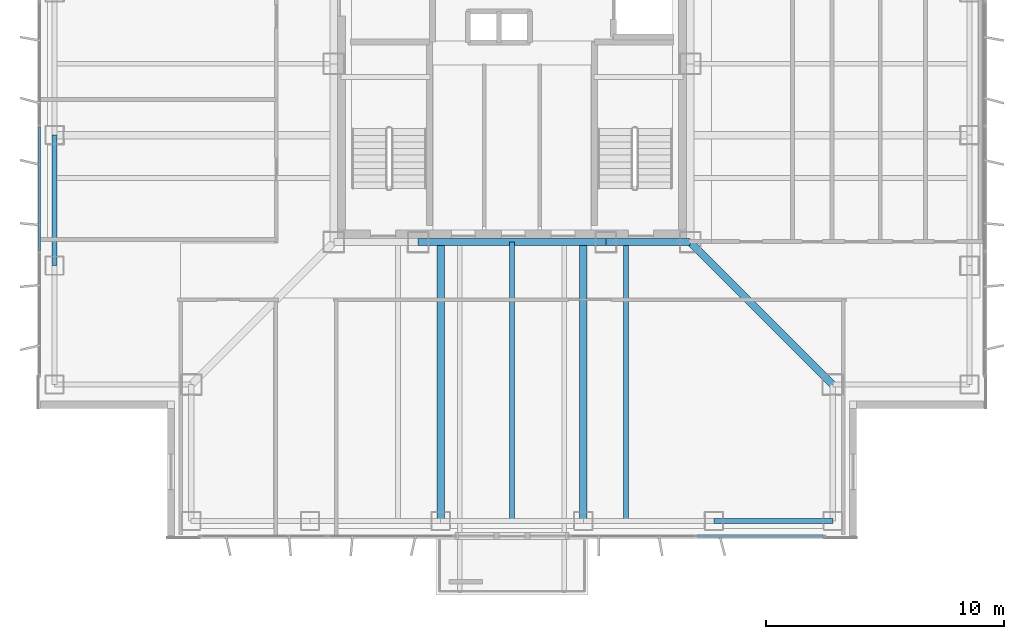
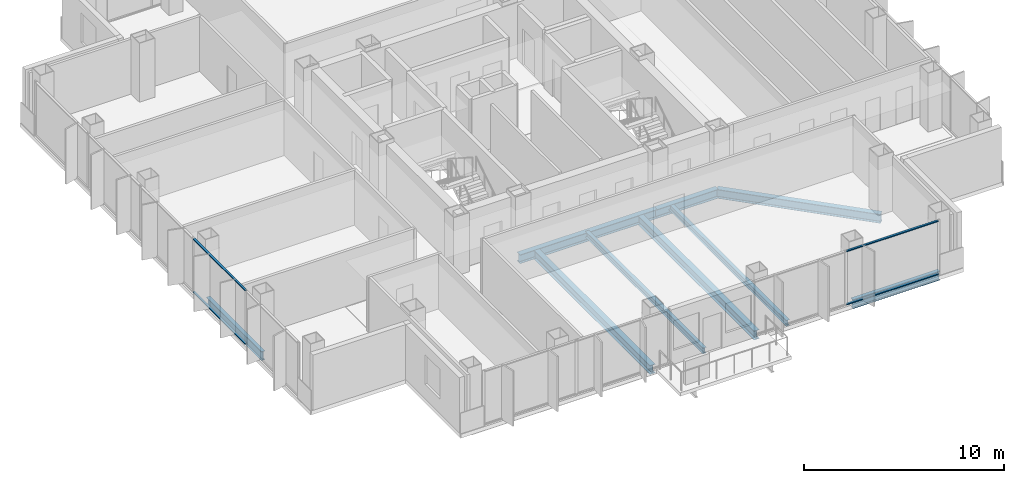
# One storey, part 3 of 13: 9 beams, 4 members, 2 elements without a shape of their own.
"""IFC4 building model written with IfcOpenShell, lengths in metres."""

from ifc_helpers import new_model, si_unit, direction, frame, origin, origin_2d, place, context, subcontext, project, spatial, rectangle, i_section, extrude, material, layer, layer_set, material_profile, profile_set, type_object, element, aggregate, save


model = new_model("IFC4")

# Units and contexts
model_context = context("Model", 3, precision=1e-05, world=origin(), true_north=direction((0.0, 1.0)))
body_context = subcontext(model_context, "Body", "Model", "MODEL_VIEW")
ifc_project = project(units=[si_unit("LENGTHUNIT", "METRE"), si_unit("AREAUNIT", "SQUARE_METRE"), si_unit("VOLUMEUNIT", "CUBIC_METRE"), si_unit("PLANEANGLEUNIT", "RADIAN"), si_unit("MASSUNIT", "GRAM", prefix="KILO")], contexts=[model_context])

# Site, building, storey
site_placement = place(None, origin())
site = spatial("IfcSite", under=ifc_project, at=site_placement, CompositionType="ELEMENT")
building_placement = place(site_placement, origin())
building = spatial("IfcBuilding", under=site, at=building_placement, Name="Trevonay Congress Spire", CompositionType="ELEMENT")
storey_placement = place(building_placement, frame((0.0, 0.0, 205.800048828125)))
storey = spatial("IfcBuildingStorey", under=building, at=storey_placement, Name="L53", CompositionType="ELEMENT", Elevation=205.800048828125)

# Beams
ifc_material_1 = material(Name="Steel ASTM A572 Grade 50", Category="steel")
ifc_material_profile_1 = material_profile(ifc_material_1, i_section(OverallWidth=0.31201171875, OverallDepth=0.54296875, WebThickness=0.0126953125, FlangeThickness=0.020263671875, FilletRadius=0.014892578125, at=origin_2d()), Name="W530x150")
ifc_profile_set_1 = profile_set([ifc_material_profile_1], Name="Steel ASTM A572 Grade 50")
beam_type_1 = type_object("IfcBeamType", Name="BM-GIRD-W530X150", PredefinedType="BEAM", material=ifc_profile_set_1)
beam_1_placement = place(storey_placement, frame((-3.949951171875, -7.5, -0.511474609375), z_axis=(1.0, 0.0, 0.0), x_axis=(0.0, 1.0, 0.0)))
element("IfcBeam", 1, at=beam_1_placement, inside=storey, type_object=beam_type_1, Name="L53 structural beam BM-L53-CR-S2", PredefinedType="BEAM", context=body_context, shape_type="SweptSolid", body=[
    extrude(i_section(OverallWidth=0.31201171875, OverallDepth=0.54296875, WebThickness=0.0126953125, FlangeThickness=0.020263671875, FilletRadius=0.014892578125, at=origin_2d()), origin(), (0.0, 0.0, 1.0), 7.89990234375),
])
beam_2_placement = place(storey_placement, frame((3.949951171875, -7.5, -0.511474609375), z_axis=(1.0, 0.0, 0.0), x_axis=(0.0, 1.0, 0.0)))
element("IfcBeam", 2, at=beam_2_placement, inside=storey, type_object=beam_type_1, Name="L53 structural beam BM-L53-CR-S3", PredefinedType="BEAM", context=body_context, shape_type="SweptSolid", body=[
    extrude(i_section(OverallWidth=0.31201171875, OverallDepth=0.54296875, WebThickness=0.0126953125, FlangeThickness=0.020263671875, FilletRadius=0.014892578125, at=origin_2d()), origin(), (0.0, 0.0, 1.0), 3.550048828125),
])
beam_3_placement = place(storey_placement, frame((7.5, -7.5, -0.511474609375), z_axis=(0.707106781187, -0.707106781187, 0.0), x_axis=(0.707106781187, 0.707106781187, 0.0)))
element("IfcBeam", 3, at=beam_3_placement, inside=storey, type_object=beam_type_1, Name="L53 structural beam BM-L53-CDSE", PredefinedType="BEAM", context=body_context, shape_type="SweptSolid", body=[
    extrude(i_section(OverallWidth=0.31201171875, OverallDepth=0.54296875, WebThickness=0.0126953125, FlangeThickness=0.020263671875, FilletRadius=0.014892578125, at=origin_2d()), origin(), (0.0, 0.0, 1.0), 8.4853515625),
])
for number, where, z_axis, x_axis, name in (
    (4, (-3.0, -7.5, -0.511474609375), (0.0, -1.0, 0.0), (1.0, 0.0, 0.0), "L53 structural beam BM-L53-GS-M"),
    (5, (3.0, -7.5, -0.511474609375), (0.0, -1.0, 0.0), (1.0, 0.0, 0.0), "L53 structural beam BM-L53-GS-P"),
):
    element("IfcBeam", number, at=place(storey_placement, frame(where, z_axis=z_axis, x_axis=x_axis)), inside=storey, type_object=beam_type_1, Name=name, PredefinedType="BEAM", context=body_context, shape_type="SweptSolid", body=[
        extrude(i_section(OverallWidth=0.31201171875, OverallDepth=0.54296875, WebThickness=0.0126953125, FlangeThickness=0.020263671875, FilletRadius=0.014892578125, at=origin_2d()), origin(), (0.0, 0.0, 1.0), 11.75),
    ])
ifc_material_profile_2 = material_profile(ifc_material_1, i_section(OverallWidth=0.2119140625, OverallDepth=0.5439453125, WebThickness=0.01318359375, FlangeThickness=0.021240234375, FilletRadius=0.014892578125, at=origin_2d()), Name="W530x123")
ifc_profile_set_2 = profile_set([ifc_material_profile_2], Name="Steel ASTM A572 Grade 50")
beam_type_2 = type_object("IfcBeamType", Name="BM-RING-W530X123", PredefinedType="BEAM", material=ifc_profile_set_2)
beam_4_placement = place(storey_placement, frame((-19.25, -8.5, -0.511962890625), z_axis=(0.0, 1.0, 0.0), x_axis=(-1.0, 0.0, 0.0)))
element("IfcBeam", 6, at=beam_4_placement, inside=storey, type_object=beam_type_2, Name="L53 structural beam BM-L53-PW2", PredefinedType="BEAM", context=body_context, shape_type="SweptSolid", body=[
    extrude(i_section(OverallWidth=0.2119140625, OverallDepth=0.5439453125, WebThickness=0.01318359375, FlangeThickness=0.021240234375, FilletRadius=0.014892578125, at=origin_2d()), origin(), (0.0, 0.0, 1.0), 5.5),
])
beam_5_placement = place(storey_placement, frame((8.5, -19.25, -0.511962890625), z_axis=(1.0, 0.0, 0.0), x_axis=(0.0, 1.0, 0.0)))
element("IfcBeam", 7, at=beam_5_placement, inside=storey, type_object=beam_type_2, Name="L53 structural beam BM-L53-PS5", PredefinedType="BEAM", context=body_context, shape_type="SweptSolid", body=[
    extrude(i_section(OverallWidth=0.2119140625, OverallDepth=0.5439453125, WebThickness=0.01318359375, FlangeThickness=0.021240234375, FilletRadius=0.014892578125, at=origin_2d()), origin(), (0.0, 0.0, 1.0), 5.0),
])

# Curtain wall, members
ifc_material_2 = material(Name="Pale Anodised Aluminium EN AW-6063-T6", Category="aluminium")
ifc_layer = layer(ifc_material_2, 0.169921875, Name="Pale Anodised Aluminium EN AW-6063-T6")
ifc_layer_set = layer_set([ifc_layer], Name="Pale Anodised Aluminium EN AW-6063-T6")
curtain_wall_type = type_object("IfcCurtainWallType", Name="CW-SYS04-CORP-PALE-METAL", PredefinedType="NOTDEFINED", material=ifc_layer_set)
curtain_wall_1_placement = place(storey_placement, origin())
curtain_wall_1 = element("IfcCurtainWall", 8, at=curtain_wall_1_placement, inside=storey, type_object=curtain_wall_type, Name="L53 SB unitised curtain wall", PredefinedType="NOTDEFINED")
ifc_material_profile_3 = material_profile(ifc_material_2, rectangle(XDim=0.1201171875, YDim=0.06005859375, at=origin_2d()), Name="CW-TRANSOM-120-ALUMINIUM")
ifc_profile_set_3 = profile_set([ifc_material_profile_3], Name="Pale Anodised Aluminium EN AW-6063-T6")
member_type = type_object("IfcMemberType", Name="CW-TRANSOM-120-ALUMINIUM", PredefinedType="USERDEFINED", material=ifc_profile_set_3)
member_1_placement = place(storey_placement, frame((7.804931640625, -19.8798828125, 0.06005859375), z_axis=(1.0, 0.0, 0.0), x_axis=(0.0, 1.0, 0.0)))
member_1 = element("IfcMember", 9, at=member_1_placement, type_object=member_type, Name="CW04 transom 2.1", ObjectType="TRANSOM", PredefinedType="USERDEFINED", context=body_context, shape_type="SweptSolid", body=[
    extrude(rectangle(XDim=0.1201171875, YDim=0.06005859375, at=origin_2d()), origin(), (0.0, 0.0, 1.0), 5.28515625),
])
member_2_placement = place(storey_placement, frame((7.804931640625, -19.8798828125, 3.300048828125), z_axis=(1.0, 0.0, 0.0), x_axis=(0.0, 1.0, 0.0)))
member_2 = element("IfcMember", 10, at=member_2_placement, type_object=member_type, Name="CW04 transom 2.2", ObjectType="TRANSOM", PredefinedType="USERDEFINED", context=body_context, shape_type="SweptSolid", body=[
    extrude(rectangle(XDim=0.1201171875, YDim=0.06005859375, at=origin_2d()), origin(), (0.0, 0.0, 1.0), 5.28515625),
])
aggregate(curtain_wall_1, [member_1, member_2])

curtain_wall_2_placement = place(storey_placement, origin())
curtain_wall_2 = element("IfcCurtainWall", 11, at=curtain_wall_2_placement, inside=storey, type_object=curtain_wall_type, Name="L53 W unitised curtain wall", PredefinedType="NOTDEFINED")
member_3_placement = place(storey_placement, frame((-19.8798828125, -7.860107421875, 0.06005859375), z_axis=(0.0, 1.0, 0.0), x_axis=(-1.0, 0.0, 0.0)))
member_3 = element("IfcMember", 12, at=member_3_placement, type_object=member_type, Name="CW04 transom 2.1", ObjectType="TRANSOM", PredefinedType="USERDEFINED", context=body_context, shape_type="SweptSolid", body=[
    extrude(rectangle(XDim=0.1201171875, YDim=0.06005859375, at=origin_2d()), origin(), (0.0, 0.0, 1.0), 5.2001953125),
])
member_4_placement = place(storey_placement, frame((-19.8798828125, -7.860107421875, 3.300048828125), z_axis=(0.0, 1.0, 0.0), x_axis=(-1.0, 0.0, 0.0)))
member_4 = element("IfcMember", 13, at=member_4_placement, type_object=member_type, Name="CW04 transom 2.2", ObjectType="TRANSOM", PredefinedType="USERDEFINED", context=body_context, shape_type="SweptSolid", body=[
    extrude(rectangle(XDim=0.1201171875, YDim=0.06005859375, at=origin_2d()), origin(), (0.0, 0.0, 1.0), 5.2001953125),
])
aggregate(curtain_wall_2, [member_3, member_4])

# Beams
ifc_material_profile_4 = material_profile(ifc_material_1, i_section(OverallWidth=0.205078125, OverallDepth=0.35400390625, WebThickness=0.009521484375, FlangeThickness=0.016845703125, FilletRadius=0.011962890625, at=origin_2d()), Name="W360x79")
ifc_profile_set_4 = profile_set([ifc_material_profile_4], Name="Steel ASTM A572 Grade 50")
beam_type_3 = type_object("IfcBeamType", Name="JS-COMP-W360X79", PredefinedType="JOIST", material=ifc_profile_set_4)
for number, where, z_axis, x_axis, name in (
    (14, (0.0, -19.25, -0.4169921875), (0.0, 1.0, 0.0), (-1.0, 0.0, 0.0), "L53 structural beam JS-L53-NS-S2"),
    (15, (4.800048828125, -19.25, -0.4169921875), (0.0, 1.0, 0.0), (-1.0, 0.0, 0.0), "L53 structural beam JS-L53-NS-S3"),
):
    element("IfcBeam", number, at=place(storey_placement, frame(where, z_axis=z_axis, x_axis=x_axis)), inside=storey, type_object=beam_type_3, Name=name, PredefinedType="JOIST", context=body_context, shape_type="SweptSolid", body=[
        extrude(i_section(OverallWidth=0.205078125, OverallDepth=0.35400390625, WebThickness=0.009521484375, FlangeThickness=0.016845703125, FilletRadius=0.011962890625, at=origin_2d()), origin(), (0.0, 0.0, 1.0), 11.75),
    ])

save(model, "model.ifc")
